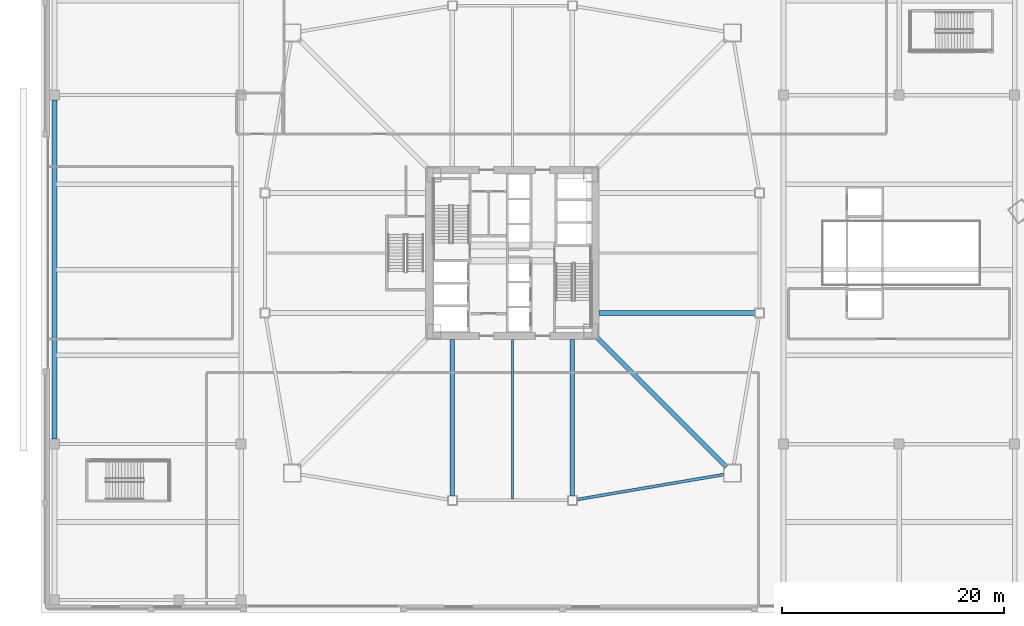
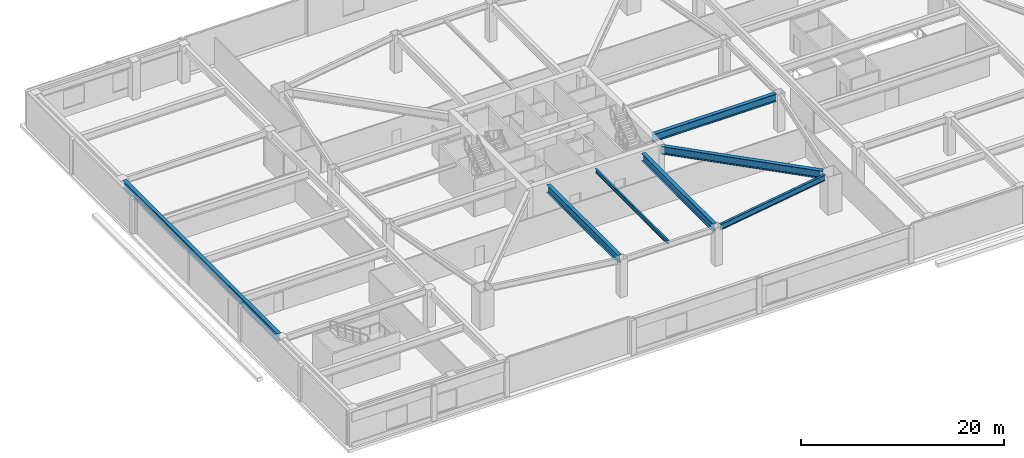
# One storey, part 11 of 44: 7 beams.
"""IFC4 building model written with IfcOpenShell, lengths in metres."""

import ifcopenshell
import ifcopenshell.guid

model = None  # the IFC model being written
_history = None  # IfcOwnerHistory: only IFC2X3 demands one
_inside = {}  # id of a spatial element -> (the spatial element, [elements in it])
_under = {}  # id of a project, library or spatial element -> (it, [spatial elements below it])
_declared = {}  # id of a project -> (the project, [libraries it declares])
_typed = {}  # id of a type object -> (the type object, [elements of that type])
_made_of = {}  # id of a material, layer set ... -> (it, [elements and type objects made of it])


def new_model(schema):
    """Start an empty IFC model of exactly this schema.

    Asked for "IFC4X3", IfcOpenShell would pick the latest addendum, in which some entities
    have other attributes; the version numbers below select the first issue.
    IFC2X3 requires an IfcOwnerHistory on every rooted entity: one is made here for all.
    """
    global model, _history
    if schema == "IFC4X3":
        model = ifcopenshell.file(schema_version=(4, 3, 0, 0))
    else:
        model = ifcopenshell.file(schema=schema)
    _inside.clear()
    _under.clear()
    _declared.clear()
    _typed.clear()
    _made_of.clear()
    _history = None
    if model.schema == "IFC2X3":
        org = make("IfcOrganization", Name="unknown")
        user = make(
            "IfcPersonAndOrganization",
            ThePerson=make("IfcPerson", FamilyName="unknown"),
            TheOrganization=org,
        )
        app = make(
            "IfcApplication",
            ApplicationDeveloper=org,
            Version="unknown",
            ApplicationFullName="unknown",
            ApplicationIdentifier="unknown",
        )
        _history = make(
            "IfcOwnerHistory",
            OwningUser=user,
            OwningApplication=app,
            ChangeAction="ADDED",
            CreationDate=0,
        )
    return model


def make(cls, **values):
    """One entity of the class cls with the attributes given. An attribute that is None is left unset."""
    return model.create_entity(
        cls, **{name: value for name, value in values.items() if value is not None}
    )


def rooted(cls, **values):
    """An entity with a GlobalId (a new one), such as an element, a storey or a relation."""
    return make(cls, GlobalId=ifcopenshell.guid.new(), OwnerHistory=_history, **values)


def si_unit(unit_type, name, prefix=None):
    """IfcSIUnit, for example si_unit("LENGTHUNIT", "METRE", prefix="MILLI")."""
    return make("IfcSIUnit", UnitType=unit_type, Prefix=prefix, Name=name)


def assignment(units):
    """IfcUnitAssignment: the units of a project."""
    return None if units is None else make("IfcUnitAssignment", Units=units)


def point(xyz):
    """IfcCartesianPoint."""
    return None if xyz is None else make("IfcCartesianPoint", Coordinates=xyz)


def direction(xyz):
    """IfcDirection."""
    return None if xyz is None else make("IfcDirection", DirectionRatios=xyz)


def frame(location, z_axis=None, x_axis=None):
    """IfcAxis2Placement3D, a coordinate frame: its origin and axes. An axis left out is left unset."""
    return make(
        "IfcAxis2Placement3D",
        Location=point(location),
        Axis=direction(z_axis),
        RefDirection=direction(x_axis),
    )


def frame_2d(location, x_axis=None):
    """IfcAxis2Placement2D, a coordinate frame in the plane: its origin and x axis."""
    return make(
        "IfcAxis2Placement2D", Location=point(location), RefDirection=direction(x_axis)
    )


def origin():
    """The frame at (0, 0, 0) with its axes left unset."""
    return frame((0.0, 0.0, 0.0))


def origin_2d():
    """The frame at (0, 0) in the plane with its x axis left unset."""
    return frame_2d((0.0, 0.0))


def place(relative_to, where):
    """IfcLocalPlacement: puts the frame where relative to a parent placement (None: the world)."""
    return make(
        "IfcLocalPlacement", PlacementRelTo=relative_to, RelativePlacement=where
    )


def context(
    kind, dimensions, precision=None, world=None, true_north=None, identifier=None
):
    """IfcGeometricRepresentationContext, for example the 3D "Model" context."""
    return make(
        "IfcGeometricRepresentationContext",
        ContextIdentifier=identifier,
        ContextType=kind,
        CoordinateSpaceDimension=dimensions,
        Precision=precision,
        WorldCoordinateSystem=world,
        TrueNorth=true_north,
    )


def subcontext(parent, identifier, kind, view, scale=None):
    """IfcGeometricRepresentationSubContext, for example "Body" below "Model"."""
    return make(
        "IfcGeometricRepresentationSubContext",
        ContextIdentifier=identifier,
        ContextType=kind,
        ParentContext=parent,
        TargetScale=scale,
        TargetView=view,
    )


def project(units=None, contexts=None):
    """IfcProject with its units and contexts."""
    return rooted(
        "IfcProject",
        Name="project",
        RepresentationContexts=contexts,
        UnitsInContext=assignment(units),
    )


def spatial(cls, under=None, at=None, **own):
    """A site, building, storey or space (cls), placed at a placement, below another one or the project."""
    s = rooted(cls, ObjectPlacement=at, **own)
    if under is not None:
        _under.setdefault(under.id(), (under, []))[1].append(s)
    return s


def profile(cls, at=None, kind="AREA", **sizes):
    """A parametric profile (cls). Its sizes go by their IFC names, for example OverallWidth=200.0."""
    return make(cls, ProfileType=kind, Position=at, **sizes)


def i_section(**sizes):
    """IfcIShapeProfileDef."""
    return profile("IfcIShapeProfileDef", **sizes)


def extrude(swept, where, along, depth):
    """IfcExtrudedAreaSolid: the profile swept, set in the frame where, extruded along a direction by depth."""
    return make(
        "IfcExtrudedAreaSolid",
        SweptArea=swept,
        Position=where,
        ExtrudedDirection=direction(along),
        Depth=depth,
    )


def shape(context_of_items, identifier, shape_type, items):
    """IfcShapeRepresentation: the items that make up one representation, for example the "Body"."""
    return make(
        "IfcShapeRepresentation",
        ContextOfItems=context_of_items,
        RepresentationIdentifier=identifier,
        RepresentationType=shape_type,
        Items=items,
    )


def material(Name=None, Category=None):
    """IfcMaterial."""
    return make("IfcMaterial", Name=Name, Category=Category)


def material_profile(
    of_material, cross_section, Name=None, Category=None, Priority=None
):
    """IfcMaterialProfile: a cross section and its material."""
    return make(
        "IfcMaterialProfile",
        Name=Name,
        Material=of_material,
        Profile=cross_section,
        Priority=Priority,
        Category=Category,
    )


def profile_set(profiles, Name=None, composite=None):
    """IfcMaterialProfileSet."""
    return make(
        "IfcMaterialProfileSet",
        Name=Name,
        MaterialProfiles=profiles,
        CompositeProfile=composite,
    )


def made_of(thing, what):
    """Note that an element or type object is made of a material, layer set ...; save() writes the relation."""
    if what is not None:
        _made_of.setdefault(what.id(), (what, []))[1].append(thing)
    return thing


def type_object(cls, material=None, **own):
    """A type object (cls), such as IfcWallType, which elements share."""
    return made_of(rooted(cls, **own), material)


def element(
    cls,
    number,
    at=None,
    inside=None,
    cuts=None,
    type_object=None,
    material=None,
    context=None,
    identifier="Body",
    shape_type=None,
    held_by="IfcProductDefinitionShape",
    body=None,
    shapes=None,
    **own,
):
    """One element of the class cls, such as IfcWall. Its Tag is "e" and its number.

    at: its placement. inside: the storey or other place that contains it. cuts: it is an
    opening in that element (IfcRelVoidsElement). A single representation is given by context,
    identifier, shape_type and body (its items); several are given by shapes. held_by: the class
    of the entity that holds the representations. save() writes the other relations.
    """
    e = rooted(cls, Tag="e%d" % number, ObjectPlacement=at, **own)
    if body is not None:
        shapes = [shape(context, identifier, shape_type, body)]
    if shapes is not None:
        e.Representation = make(held_by, Representations=shapes)
    if inside is not None:
        _inside.setdefault(inside.id(), (inside, []))[1].append(e)
    if cuts is not None:
        rooted(
            "IfcRelVoidsElement", RelatingBuildingElement=cuts, RelatedOpeningElement=e
        )
    if type_object is not None:
        _typed.setdefault(type_object.id(), (type_object, []))[1].append(e)
    return made_of(e, material)


def aggregate(whole, parts):
    """IfcRelAggregates: a whole, such as a stair, and the parts it consists of."""
    return rooted("IfcRelAggregates", RelatingObject=whole, RelatedObjects=parts)


def save(model, path):
    """Write the relations noted so far, then the file.

    IfcRelAggregates (storeys below a building ...), IfcRelContainedInSpatialStructure (elements
    in a storey), IfcRelDefinesByType, IfcRelAssociatesMaterial and IfcRelDeclares: one each for
    every whole, place, type object, material and project.
    """
    for whole, parts in _under.values():
        aggregate(whole, parts)
    for where, things in _inside.values():
        rooted(
            "IfcRelContainedInSpatialStructure",
            RelatedElements=things,
            RelatingStructure=where,
        )
    for kind, things in _typed.values():
        rooted("IfcRelDefinesByType", RelatedObjects=things, RelatingType=kind)
    for what, things in _made_of.values():
        rooted("IfcRelAssociatesMaterial", RelatedObjects=things, RelatingMaterial=what)
    for by, libraries in _declared.values():
        rooted("IfcRelDeclares", RelatingContext=by, RelatedDefinitions=libraries)
    model.write(path)


model = new_model("IFC4")

# Units and contexts
model_context = context("Model", 3, precision=1e-05, world=origin(), true_north=direction((0.0, 1.0)))
body_context = subcontext(model_context, "Body", "Model", "MODEL_VIEW")
ifc_project = project(units=[si_unit("LENGTHUNIT", "METRE"), si_unit("AREAUNIT", "SQUARE_METRE"), si_unit("VOLUMEUNIT", "CUBIC_METRE"), si_unit("PLANEANGLEUNIT", "RADIAN"), si_unit("MASSUNIT", "GRAM", prefix="KILO")], contexts=[model_context])

# Site, building, storey
site_placement = place(None, origin())
site = spatial("IfcSite", under=ifc_project, at=site_placement, CompositionType="ELEMENT")
building_placement = place(site_placement, origin())
building = spatial("IfcBuilding", under=site, at=building_placement, Name="Tashvorn Skyway Center", CompositionType="ELEMENT")
storey_placement = place(building_placement, frame((0.0, 0.0, 5.39990234375)))
storey = spatial("IfcBuildingStorey", under=building, at=storey_placement, Name="L01", CompositionType="ELEMENT", Elevation=5.39990234375)

# Beams
ifc_material_1 = material(Name="Steel ASTM A913 Grade 65", Category="steel")
ifc_material_profile_1 = material_profile(ifc_material_1, i_section(OverallWidth=0.4189453125, OverallDepth=0.927001953125, WebThickness=0.019287109375, FlangeThickness=0.031982421875, at=origin_2d()), Name="W36X231")
ifc_profile_set_1 = profile_set([ifc_material_profile_1], Name="Steel ASTM A913 Grade 65")
beam_type_1 = type_object("IfcBeamType", Name="BM-BEAM-W36X231", PredefinedType="BEAM", material=ifc_profile_set_1)
beam_1_placement = place(storey_placement, frame((61.23779296875, 12.76220703125, 4.07666015625), z_axis=(-0.707106781187, 0.707106781187, 0.0), x_axis=(-0.707106781187, -0.707106781187, 0.0)))
element("IfcBeam", 1, at=beam_1_placement, inside=storey, type_object=beam_type_1, Name="Tower 1 L01 Primary Floor Girder MC-SE", PredefinedType="BEAM", context=body_context, shape_type="SweptSolid", body=[
    extrude(i_section(OverallWidth=0.4189453125, OverallDepth=0.927001953125, WebThickness=0.019287109375, FlangeThickness=0.031982421875, at=origin_2d()), origin(), (0.0, 0.0, 1.0), 16.591064453125),
])
for number, where, z_axis, x_axis, name in (
    (2, (36.60009765625, 10.169921875, 4.07666015625), (0.0, 1.0, 0.0), (-1.0, 0.0, 0.0), "Tower 1 L01 Primary Floor Girder FC-S1"),
    (3, (47.39990234375, 10.169921875, 4.07666015625), (0.0, 1.0, 0.0), (-1.0, 0.0, 0.0), "Tower 1 L01 Primary Floor Girder FC-S2"),
    (4, (63.830078125, 26.60009765625, 4.07666015625), (-1.0, 0.0, 0.0), (0.0, -1.0, 0.0), "Tower 1 L01 Primary Floor Girder FC-E1"),
):
    element("IfcBeam", number, at=place(storey_placement, frame(where, z_axis=z_axis, x_axis=x_axis)), inside=storey, type_object=beam_type_1, Name=name, PredefinedType="BEAM", context=body_context, shape_type="SweptSolid", body=[
        extrude(i_section(OverallWidth=0.4189453125, OverallDepth=0.927001953125, WebThickness=0.019287109375, FlangeThickness=0.031982421875, at=origin_2d()), origin(), (0.0, 0.0, 1.0), 14.050048828125),
    ])
beam_2_placement = place(storey_placement, frame((0.800048828125, 15.2451171875, 4.07666015625), z_axis=(0.0, 1.0, 0.0), x_axis=(-1.0, 0.0, 0.0)))
element("IfcBeam", 5, at=beam_2_placement, inside=storey, type_object=beam_type_1, Name="L01 North-South Podium Girder 01-M", PredefinedType="BEAM", context=body_context, shape_type="SweptSolid", body=[
    extrude(i_section(OverallWidth=0.4189453125, OverallDepth=0.927001953125, WebThickness=0.019287109375, FlangeThickness=0.031982421875, at=origin_2d()), origin(), (0.0, 0.0, 1.0), 30.509765625),
])
ifc_material_2 = material(Name="Steel ASTM A992 Grade 50", Category="steel")
ifc_material_profile_2 = material_profile(ifc_material_2, i_section(OverallWidth=0.19091796875, OverallDepth=0.4599609375, WebThickness=0.010009765625, FlangeThickness=0.01611328125, at=origin_2d()), Name="W18X55")
ifc_profile_set_2 = profile_set([ifc_material_profile_2], Name="Steel ASTM A992 Grade 50")
beam_type_2 = type_object("IfcBeamType", Name="BM-JOIST-W18X55", PredefinedType="JOIST", material=ifc_profile_set_2)
beam_3_placement = place(storey_placement, frame((42.0, 24.2099609375, 4.31005859375), z_axis=(0.0, -1.0, 0.0), x_axis=(1.0, 0.0, 0.0)))
element("IfcBeam", 6, at=beam_3_placement, inside=storey, type_object=beam_type_2, Name="Tower 1 L01 Secondary Composite Joist JS", PredefinedType="JOIST", context=body_context, shape_type="SweptSolid", body=[
    extrude(i_section(OverallWidth=0.19091796875, OverallDepth=0.4599609375, WebThickness=0.010009765625, FlangeThickness=0.01611328125, at=origin_2d()), origin(), (0.0, 0.0, 1.0), 14.33984375),
])
ifc_material_profile_3 = material_profile(ifc_material_2, i_section(OverallWidth=0.256103515625, OverallDepth=0.693115234375, WebThickness=0.014404296875, FlangeThickness=0.023681640625, at=origin_2d()), Name="W27X114")
ifc_profile_set_3 = profile_set([ifc_material_profile_3], Name="Steel ASTM A992 Grade 50")
beam_type_3 = type_object("IfcBeamType", Name="BM-SPANDREL-W27X114", PredefinedType="SPANDREL", material=ifc_profile_set_3)
beam_4_placement = place(storey_placement, frame((47.81396484375, 9.820556640625, 4.193603515625), z_axis=(0.985835025551, 0.16771792509, 0.0), x_axis=(-0.16771792509, 0.985835025551, 0.0)))
element("IfcBeam", 7, at=beam_4_placement, inside=storey, type_object=beam_type_3, Name="Tower 1 L01 Spandrel Beam 03", PredefinedType="SPANDREL", context=body_context, shape_type="SweptSolid", body=[
    extrude(i_section(OverallWidth=0.256103515625, OverallDepth=0.693115234375, WebThickness=0.014404296875, FlangeThickness=0.023681640625, at=origin_2d()), origin(), (0.0, 0.0, 1.0), 13.39208984375),
])

save(model, "model.ifc")
